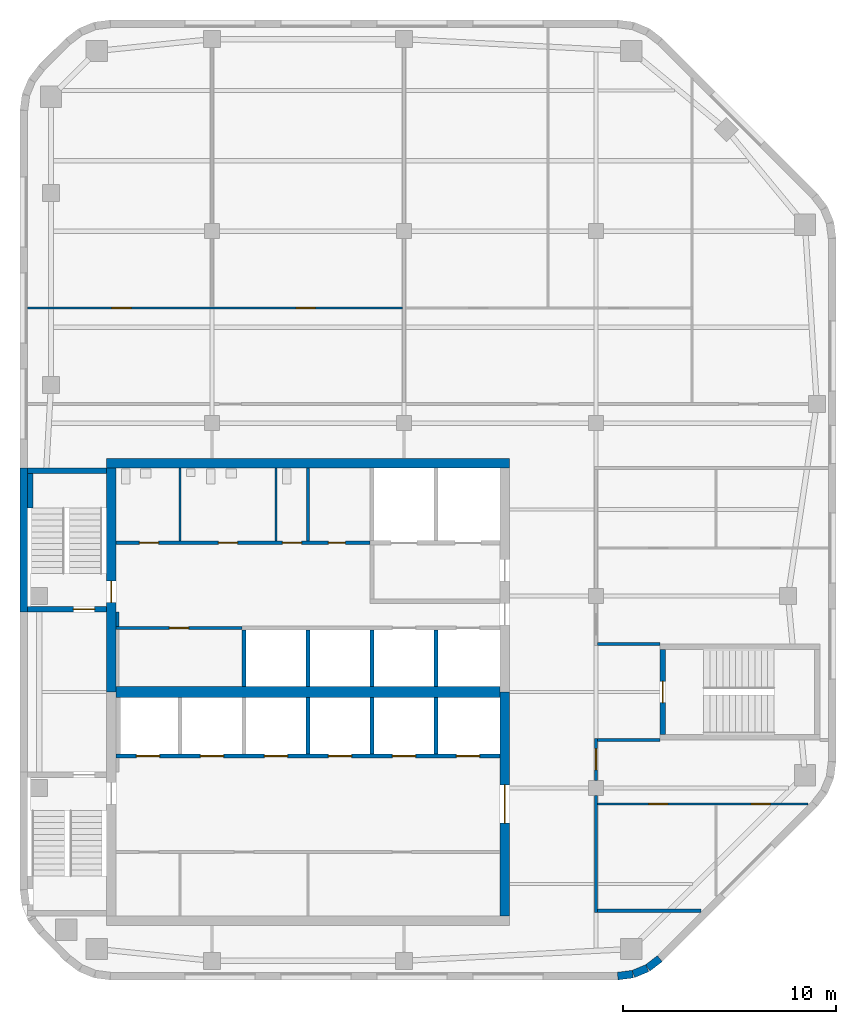
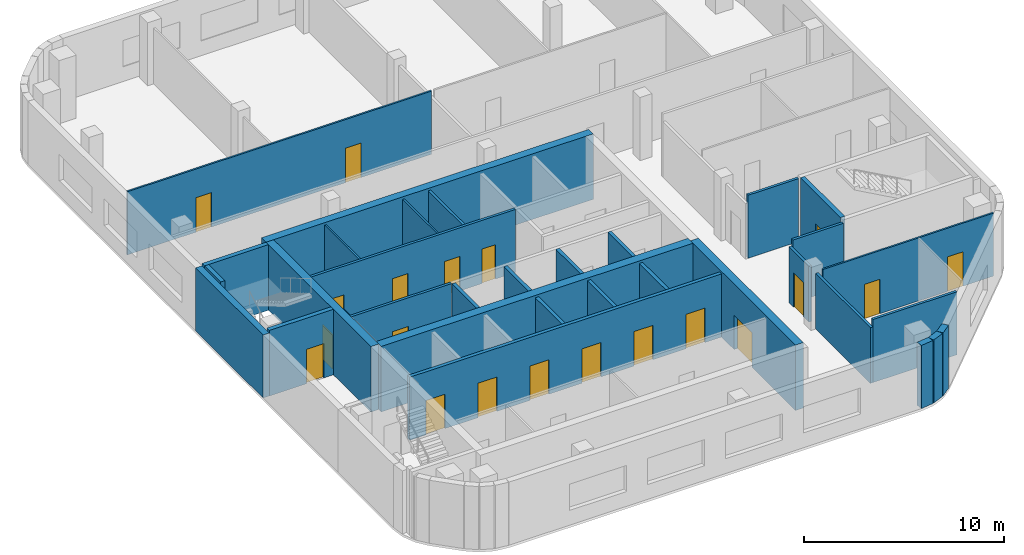
# One storey, part 3 of 7: 33 walls, 20 doors, 20 openings.
"""IFC4 building model written with IfcOpenShell, lengths in metres."""

from ifc_helpers import new_model, si_unit, direction, frame, frame_2d, origin, place, context, subcontext, project, spatial, rectangle, extrude, material, layer, layer_set, type_object, element, fill, save


model = new_model("IFC4")

# Units and contexts
model_context = context("Model", 3, precision=1e-05, world=origin(), true_north=direction((0.0, 1.0)))
body_context = subcontext(model_context, "Body", "Model", "MODEL_VIEW")
ifc_project = project(units=[si_unit("LENGTHUNIT", "METRE"), si_unit("AREAUNIT", "SQUARE_METRE"), si_unit("VOLUMEUNIT", "CUBIC_METRE"), si_unit("PLANEANGLEUNIT", "RADIAN"), si_unit("MASSUNIT", "GRAM", prefix="KILO")], contexts=[model_context])

# Site, building, storey
site_placement = place(None, origin())
site = spatial("IfcSite", under=ifc_project, at=site_placement, CompositionType="ELEMENT")
building_placement = place(site_placement, origin())
building = spatial("IfcBuilding", under=site, at=building_placement, Name="Cinnabar Reach Civic Tower", CompositionType="ELEMENT")
storey_placement = place(building_placement, frame((0.0, 0.0, 267.0)))
storey = spatial("IfcBuildingStorey", under=building, at=storey_placement, Name="L64", CompositionType="ELEMENT", Elevation=267.0)

# Walls
ifc_material_1 = material(Name="Facing brick with insulated backing", Category="masonry")
ifc_layer_1 = layer(ifc_material_1, 0.36)
ifc_layer_set_1 = layer_set([ifc_layer_1], Name="Brick corner wall")
wall_type_1 = type_object("IfcWallType", Name="Brick corner wall", PredefinedType="STANDARD", material=ifc_layer_set_1)
for number, where, z_axis, x_axis, name in (
    (1, (28.0186, 18.183, 0.0), (0.0, 0.0, 1.0), (0.99144092581, 0.13055608231, 0.0), "Brick corner wall"),
    (2, (28.7473, 18.2819, 0.0), (0.0, 0.0, 1.0), (0.923871547278, 0.382702709855, 0.0), "Brick corner wall"),
):
    element("IfcWall", number, at=place(storey_placement, frame(where, z_axis=z_axis, x_axis=x_axis)), inside=storey, type_object=wall_type_1, Name=name, PredefinedType="STANDARD", context=body_context, shape_type="SweptSolid", body=[
        extrude(rectangle(XDim=0.7131, YDim=0.36, at=frame_2d((0.3565, 0.0))), origin(), (0.0, 0.0, 1.0), 3.85),
    ])
wall_1_placement = place(storey_placement, frame((29.4255, 18.566, 0.0), z_axis=(0.0, 0.0, 1.0), x_axis=(0.793321924995, 0.608802368033, 0.0)))
element("IfcWall", 3, at=wall_1_placement, inside=storey, type_object=wall_type_1, Name="Brick corner wall", PredefinedType="STANDARD", context=body_context, shape_type="SweptSolid", body=[
    extrude(rectangle(XDim=0.7132, YDim=0.36, at=frame_2d((0.3566, 0.0))), origin(), (0.0, 0.0, 1.0), 3.85),
])
ifc_layer_2 = layer(ifc_material_1, 0.36)
ifc_layer_set_2 = layer_set([ifc_layer_2], Name="Brick pier and spandrel wall")
wall_type_2 = type_object("IfcWallType", Name="Brick pier and spandrel wall", PredefinedType="STANDARD", material=ifc_layer_set_2)
wall_2_placement = place(storey_placement, frame((0.18, 42.0, 0.0), z_axis=(0.0, 0.0, 1.0), x_axis=(0.0, -1.0, 0.0)))
element("IfcWall", 4, at=wall_2_placement, inside=storey, type_object=wall_type_2, Name="Brick facade wall", PredefinedType="STANDARD", context=body_context, shape_type="SweptSolid", body=[
    extrude(rectangle(XDim=6.75, YDim=0.36, at=frame_2d((3.375, 0.0))), origin(), (0.0, 0.0, 1.0), 3.85),
])
ifc_material_2 = material(Name="Concrete C60", Category="concrete")
ifc_layer_3 = layer(ifc_material_2, 0.45)
ifc_layer_set_3 = layer_set([ifc_layer_3], Name="Core wall 450 EI 180")
wall_type_3 = type_object("IfcWallType", Name="Core wall 450 EI 180", PredefinedType="SOLIDWALL", material=ifc_layer_set_3)
wall_3_placement = place(storey_placement, frame((22.95, 42.225, 0.0), z_axis=(0.0, 0.0, 1.0), x_axis=(-1.0, 0.0, 0.0)))
element("IfcWall", 5, at=wall_3_placement, inside=storey, type_object=wall_type_3, Name="Core wall T1 L64 N", PredefinedType="SOLIDWALL", context=body_context, shape_type="SweptSolid", body=[
    extrude(rectangle(XDim=18.9, YDim=0.45, at=frame_2d((9.45, 0.0))), origin(), (0.0, 0.0, 1.0), 4.0),
])

# Wall, opening, door
wall_4_placement = place(storey_placement, frame((22.725, 21.0, 0.0), z_axis=(0.0, 0.0, 1.0), x_axis=(0.0, 1.0, 0.0)))
wall_4 = element("IfcWall", 6, at=wall_4_placement, inside=storey, type_object=wall_type_3, Name="Core wall T1 L64 E", PredefinedType="SOLIDWALL", context=body_context, shape_type="SweptSolid", body=[
    extrude(rectangle(XDim=10.5, YDim=0.45, at=frame_2d((5.25, 0.0))), origin(), (0.0, 0.0, 1.0), 4.0),
])
opening_1_placement = place(wall_4_placement, frame((4.35, 0.0, 0.0)))
opening_1 = element("IfcOpeningElement", 7, at=opening_1_placement, cuts=wall_4, Name="Opening D5559", PredefinedType="OPENING", context=body_context, shape_type="SweptSolid", body=[
    extrude(rectangle(XDim=1.8, YDim=2.1, at=frame_2d((0.9, 1.05))), frame((0.0, 0.235, 0.0), z_axis=(0.0, -1.0, 0.0), x_axis=(1.0, 0.0, 0.0)), (0.0, 0.0, 1.0), 0.47),
])
ifc_material_3 = material(Name="Timber door leaf in steel frame", Category="steel")
door_type_1 = type_object("IfcDoorType", Name="Double swing door 1800 x 2100 T1", OperationType="DOUBLE_DOOR_DOUBLE_SWING", PredefinedType="DOOR", material=ifc_material_3)
door_1_placement = place(opening_1_placement, origin())
door_1 = element("IfcDoor", 8, at=door_1_placement, inside=storey, type_object=door_type_1, Name="Door D5559", OperationType="DOUBLE_DOOR_DOUBLE_SWING", OverallHeight=2.1, OverallWidth=1.8, PredefinedType="DOOR", context=body_context, shape_type="SweptSolid", body=[
    extrude(rectangle(XDim=1.8, YDim=2.1, at=frame_2d((0.9, 1.05))), frame((0.0, 0.025, 0.0), z_axis=(0.0, -1.0, 0.0), x_axis=(1.0, 0.0, 0.0)), (0.0, 0.0, 1.0), 0.05),
])
fill(opening_1, door_1)

wall_5_placement = place(storey_placement, frame((4.275, 42.0, 0.0), z_axis=(0.0, 0.0, 1.0), x_axis=(0.0, -1.0, 0.0)))
wall_5 = element("IfcWall", 9, at=wall_5_placement, inside=storey, type_object=wall_type_3, Name="Core wall T1 L64 W", PredefinedType="SOLIDWALL", context=body_context, shape_type="SweptSolid", body=[
    extrude(rectangle(XDim=10.5, YDim=0.45, at=frame_2d((5.25, 0.0))), origin(), (0.0, 0.0, 1.0), 4.0),
])
opening_2_placement = place(wall_5_placement, frame((5.3, 0.0, 0.0)))
opening_2 = element("IfcOpeningElement", 10, at=opening_2_placement, cuts=wall_5, Name="Opening D5547", PredefinedType="OPENING", context=body_context, shape_type="SweptSolid", body=[
    extrude(rectangle(XDim=1.0, YDim=2.1, at=frame_2d((0.5, 1.05))), frame((0.0, 0.235, 0.0), z_axis=(0.0, -1.0, 0.0), x_axis=(1.0, 0.0, 0.0)), (0.0, 0.0, 1.0), 0.47),
])
door_type_2 = type_object("IfcDoorType", Name="Stair door 1000 x 2100 T1", OperationType="SINGLE_SWING_LEFT", PredefinedType="DOOR", material=ifc_material_3)
door_2_placement = place(opening_2_placement, frame((1.0, 0.0, 0.0), z_axis=(0.0, 0.0, 1.0), x_axis=(-1.0, 0.0, 0.0)))
door_2 = element("IfcDoor", 11, at=door_2_placement, inside=storey, type_object=door_type_2, Name="Door D5547", OperationType="SINGLE_SWING_LEFT", OverallHeight=2.1, OverallWidth=1.0, PredefinedType="DOOR", context=body_context, shape_type="SweptSolid", body=[
    extrude(rectangle(XDim=1.0, YDim=2.1, at=frame_2d((0.5, 1.05))), frame((0.0, 0.025, 0.0), z_axis=(0.0, -1.0, 0.0), x_axis=(1.0, 0.0, 0.0)), (0.0, 0.0, 1.0), 0.05),
])
fill(opening_2, door_2)

# Wall
ifc_layer_4 = layer(ifc_material_2, 0.5)
ifc_layer_set_4 = layer_set([ifc_layer_4], Name="Core wall 500 EI 180")
wall_type_4 = type_object("IfcWallType", Name="Core wall 500 EI 180", PredefinedType="SOLIDWALL", material=ifc_layer_set_4)
wall_6_placement = place(storey_placement, frame((4.5, 31.5, 0.0), z_axis=(0.0, 0.0, 1.0), x_axis=(1.0, 0.0, 0.0)))
element("IfcWall", 12, at=wall_6_placement, inside=storey, type_object=wall_type_4, Name="Core spine wall T1 L64", PredefinedType="SOLIDWALL", context=body_context, shape_type="SweptSolid", body=[
    extrude(rectangle(XDim=18.0, YDim=0.5, at=frame_2d((9.0, 0.0))), origin(), (0.0, 0.0, 1.0), 4.0),
])

# Wall, openings, doors
ifc_material_4 = material(Name="Gypsum board on steel studs, double layer", Category="steel")
ifc_layer_5 = layer(ifc_material_4, 0.15)
ifc_layer_set_5 = layer_set([ifc_layer_5], Name="Corridor wall 150 T1")
wall_type_5 = type_object("IfcWallType", Name="Corridor wall 150 T1", PredefinedType="PARTITIONING", material=ifc_layer_set_5)
wall_7_placement = place(storey_placement, frame((4.5, 38.5, 0.0), z_axis=(0.0, 0.0, 1.0), x_axis=(1.0, 0.0, 0.0)))
wall_7 = element("IfcWall", 13, at=wall_7_placement, inside=storey, type_object=wall_type_5, Name="Corridor wall 20", PredefinedType="PARTITIONING", context=body_context, shape_type="SweptSolid", body=[
    extrude(rectangle(XDim=11.9, YDim=0.15, at=frame_2d((5.95, 0.0))), origin(), (0.0, 0.0, 1.0), 3.85),
])
opening_3_placement = place(wall_7_placement, frame((1.1, 0.0, 0.0)))
opening_3 = element("IfcOpeningElement", 14, at=opening_3_placement, cuts=wall_7, Name="Opening D5567", PredefinedType="OPENING", context=body_context, shape_type="SweptSolid", body=[
    extrude(rectangle(XDim=0.9, YDim=2.1, at=frame_2d((0.45, 1.05))), frame((0.0, 0.085, 0.0), z_axis=(0.0, -1.0, 0.0), x_axis=(1.0, 0.0, 0.0)), (0.0, 0.0, 1.0), 0.17),
])
opening_4_placement = place(wall_7_placement, frame((4.8, 0.0, 0.0)))
opening_4 = element("IfcOpeningElement", 15, at=opening_4_placement, cuts=wall_7, Name="Opening D5568", PredefinedType="OPENING", context=body_context, shape_type="SweptSolid", body=[
    extrude(rectangle(XDim=0.9, YDim=2.1, at=frame_2d((0.45, 1.05))), frame((0.0, 0.085, 0.0), z_axis=(0.0, -1.0, 0.0), x_axis=(1.0, 0.0, 0.0)), (0.0, 0.0, 1.0), 0.17),
])
opening_5_placement = place(wall_7_placement, frame((7.8, 0.0, 0.0)))
opening_5 = element("IfcOpeningElement", 16, at=opening_5_placement, cuts=wall_7, Name="Opening D5569", PredefinedType="OPENING", context=body_context, shape_type="SweptSolid", body=[
    extrude(rectangle(XDim=0.9, YDim=2.1, at=frame_2d((0.45, 1.05))), frame((0.0, 0.085, 0.0), z_axis=(0.0, -1.0, 0.0), x_axis=(1.0, 0.0, 0.0)), (0.0, 0.0, 1.0), 0.17),
])
opening_6_placement = place(wall_7_placement, frame((9.95, 0.0, 0.0)))
opening_6 = element("IfcOpeningElement", 17, at=opening_6_placement, cuts=wall_7, Name="Opening D5570", PredefinedType="OPENING", context=body_context, shape_type="SweptSolid", body=[
    extrude(rectangle(XDim=0.8, YDim=2.1, at=frame_2d((0.4, 1.05))), frame((0.0, 0.085, 0.0), z_axis=(0.0, -1.0, 0.0), x_axis=(1.0, 0.0, 0.0)), (0.0, 0.0, 1.0), 0.17),
])
door_type_3 = type_object("IfcDoorType", Name="Riser access door 800 x 2100 T1", OperationType="SINGLE_SWING_LEFT", PredefinedType="DOOR", material=ifc_material_3)
door_3_placement = place(opening_6_placement, origin())
door_3 = element("IfcDoor", 18, at=door_3_placement, inside=storey, type_object=door_type_3, Name="Door D5570", OperationType="SINGLE_SWING_LEFT", OverallHeight=2.1, OverallWidth=0.8, PredefinedType="DOOR", context=body_context, shape_type="SweptSolid", body=[
    extrude(rectangle(XDim=0.8, YDim=2.1, at=frame_2d((0.4, 1.05))), frame((0.0, 0.025, 0.0), z_axis=(0.0, -1.0, 0.0), x_axis=(1.0, 0.0, 0.0)), (0.0, 0.0, 1.0), 0.05),
])
fill(opening_6, door_3)
door_type_4 = type_object("IfcDoorType", Name="Single swing door 900 x 2100 corridor T1", OperationType="SINGLE_SWING_LEFT", PredefinedType="DOOR", material=ifc_material_3)
door_4_placement = place(opening_3_placement, origin())
door_4 = element("IfcDoor", 19, at=door_4_placement, inside=storey, type_object=door_type_4, Name="Door D5567", OperationType="SINGLE_SWING_LEFT", OverallHeight=2.1, OverallWidth=0.9, PredefinedType="DOOR", context=body_context, shape_type="SweptSolid", body=[
    extrude(rectangle(XDim=0.9, YDim=2.1, at=frame_2d((0.45, 1.05))), frame((0.0, 0.025, 0.0), z_axis=(0.0, -1.0, 0.0), x_axis=(1.0, 0.0, 0.0)), (0.0, 0.0, 1.0), 0.05),
])
fill(opening_3, door_4)
door_5_placement = place(opening_4_placement, origin())
door_5 = element("IfcDoor", 20, at=door_5_placement, inside=storey, type_object=door_type_4, Name="Door D5568", OperationType="SINGLE_SWING_RIGHT", OverallHeight=2.1, OverallWidth=0.9, PredefinedType="DOOR", context=body_context, shape_type="SweptSolid", body=[
    extrude(rectangle(XDim=0.9, YDim=2.1, at=frame_2d((0.45, 1.05))), frame((0.0, 0.025, 0.0), z_axis=(0.0, -1.0, 0.0), x_axis=(1.0, 0.0, 0.0)), (0.0, 0.0, 1.0), 0.05),
])
fill(opening_4, door_5)
door_6_placement = place(opening_5_placement, origin())
door_6 = element("IfcDoor", 21, at=door_6_placement, inside=storey, type_object=door_type_4, Name="Door D5569", OperationType="SINGLE_SWING_RIGHT", OverallHeight=2.1, OverallWidth=0.9, PredefinedType="DOOR", context=body_context, shape_type="SweptSolid", body=[
    extrude(rectangle(XDim=0.9, YDim=2.1, at=frame_2d((0.45, 1.05))), frame((0.0, 0.025, 0.0), z_axis=(0.0, -1.0, 0.0), x_axis=(1.0, 0.0, 0.0)), (0.0, 0.0, 1.0), 0.05),
])
fill(opening_5, door_6)

# Wall
wall_8_placement = place(storey_placement, frame((27.0, 21.175, 0.0), z_axis=(0.0, 0.0, 1.0), x_axis=(0.0, 1.0, 0.0)))
element("IfcWall", 22, at=wall_8_placement, inside=storey, type_object=wall_type_5, Name="Corridor wall 24", PredefinedType="PARTITIONING", context=body_context, shape_type="SweptSolid", body=[
    extrude(rectangle(XDim=5.475, YDim=0.15, at=frame_2d((2.7375, 0.0))), origin(), (0.0, 0.0, 1.0), 3.4),
])

# Wall, opening, door
wall_9_placement = place(storey_placement, frame((27.0, 27.35, 0.0), z_axis=(0.0, 0.0, 1.0), x_axis=(0.0, 1.0, 0.0)))
wall_9 = element("IfcWall", 23, at=wall_9_placement, inside=storey, type_object=wall_type_5, Name="Corridor wall 25", PredefinedType="PARTITIONING", context=body_context, shape_type="SweptSolid", body=[
    extrude(rectangle(XDim=1.975, YDim=0.15, at=frame_2d((0.9875, 0.0))), origin(), (0.0, 0.0, 1.0), 3.4),
])
opening_7_placement = place(wall_9_placement, frame((0.5, 0.0, 0.0)))
opening_7 = element("IfcOpeningElement", 24, at=opening_7_placement, cuts=wall_9, Name="Opening D5574", PredefinedType="OPENING", context=body_context, shape_type="SweptSolid", body=[
    extrude(rectangle(XDim=1.0, YDim=2.1, at=frame_2d((0.5, 1.05))), frame((0.0, 0.085, 0.0), z_axis=(0.0, -1.0, 0.0), x_axis=(1.0, 0.0, 0.0)), (0.0, 0.0, 1.0), 0.17),
])
door_type_5 = type_object("IfcDoorType", Name="Tenancy entrance door 1000 x 2100 T1", OperationType="SINGLE_SWING_LEFT", PredefinedType="DOOR", material=ifc_material_3)
door_7_placement = place(opening_7_placement, frame((1.0, 0.0, 0.0), z_axis=(0.0, 0.0, 1.0), x_axis=(-1.0, 0.0, 0.0)))
door_7 = element("IfcDoor", 25, at=door_7_placement, inside=storey, type_object=door_type_5, Name="Door D5574", OperationType="SINGLE_SWING_LEFT", OverallHeight=2.1, OverallWidth=1.0, PredefinedType="DOOR", context=body_context, shape_type="SweptSolid", body=[
    extrude(rectangle(XDim=1.0, YDim=2.1, at=frame_2d((0.5, 1.05))), frame((0.0, 0.025, 0.0), z_axis=(0.0, -1.0, 0.0), x_axis=(1.0, 0.0, 0.0)), (0.0, 0.0, 1.0), 0.05),
])
fill(opening_7, door_7)

wall_10_placement = place(storey_placement, frame((4.5, 34.5, 0.0), z_axis=(0.0, 0.0, 1.0), x_axis=(1.0, 0.0, 0.0)))
wall_10 = element("IfcWall", 26, at=wall_10_placement, inside=storey, type_object=wall_type_5, Name="Corridor wall 26", PredefinedType="PARTITIONING", context=body_context, shape_type="SweptSolid", body=[
    extrude(rectangle(XDim=5.9, YDim=0.15, at=frame_2d((2.95, 0.0))), origin(), (0.0, 0.0, 1.0), 3.85),
])
opening_8_placement = place(wall_10_placement, frame((2.5, 0.0, 0.0)))
opening_8 = element("IfcOpeningElement", 27, at=opening_8_placement, cuts=wall_10, Name="Opening D5566", PredefinedType="OPENING", context=body_context, shape_type="SweptSolid", body=[
    extrude(rectangle(XDim=0.9, YDim=2.1, at=frame_2d((0.45, 1.05))), frame((0.0, 0.085, 0.0), z_axis=(0.0, -1.0, 0.0), x_axis=(1.0, 0.0, 0.0)), (0.0, 0.0, 1.0), 0.17),
])
door_8_placement = place(opening_8_placement, frame((0.9, 0.0, 0.0), z_axis=(0.0, 0.0, 1.0), x_axis=(-1.0, 0.0, 0.0)))
door_8 = element("IfcDoor", 28, at=door_8_placement, inside=storey, type_object=door_type_4, Name="Door D5566", OperationType="SINGLE_SWING_LEFT", OverallHeight=2.1, OverallWidth=0.9, PredefinedType="DOOR", context=body_context, shape_type="SweptSolid", body=[
    extrude(rectangle(XDim=0.9, YDim=2.1, at=frame_2d((0.45, 1.05))), frame((0.0, 0.025, 0.0), z_axis=(0.0, -1.0, 0.0), x_axis=(1.0, 0.0, 0.0)), (0.0, 0.0, 1.0), 0.05),
])
fill(opening_8, door_8)

# Walls
wall_11_placement = place(storey_placement, frame((27.075, 21.25, 0.0), z_axis=(0.0, 0.0, 1.0), x_axis=(1.0, 0.0, 0.0)))
element("IfcWall", 29, at=wall_11_placement, inside=storey, type_object=wall_type_5, Name="Corridor wall 27", PredefinedType="PARTITIONING", context=body_context, shape_type="SweptSolid", body=[
    extrude(rectangle(XDim=4.841, YDim=0.15, at=frame_2d((2.4205, 0.0))), origin(), (0.0, 0.0, 1.0), 3.85),
])
wall_12_placement = place(storey_placement, frame((4.575, 34.575, 0.0), z_axis=(0.0, 0.0, 1.0), x_axis=(0.0, 1.0, 0.0)))
element("IfcWall", 30, at=wall_12_placement, inside=storey, type_object=wall_type_5, Name="Corridor wall 28", PredefinedType="PARTITIONING", context=body_context, shape_type="SweptSolid", body=[
    extrude(rectangle(XDim=0.675, YDim=0.15, at=frame_2d((0.3375, 0.0))), origin(), (0.0, 0.0, 1.0), 3.85),
])
for number, where, z_axis, x_axis, name in (
    (31, (27.075, 29.25, 0.0), (0.0, 0.0, 1.0), (1.0, 0.0, 0.0), "Corridor wall 30"),
    (32, (27.075, 33.75, 0.0), (0.0, 0.0, 1.0), (1.0, 0.0, 0.0), "Corridor wall 31"),
):
    element("IfcWall", number, at=place(storey_placement, frame(where, z_axis=z_axis, x_axis=x_axis)), inside=storey, type_object=wall_type_5, Name=name, PredefinedType="PARTITIONING", context=body_context, shape_type="SweptSolid", body=[
        extrude(rectangle(XDim=2.925, YDim=0.15, at=frame_2d((1.4625, 0.0))), origin(), (0.0, 0.0, 1.0), 3.85),
    ])

# Wall, openings, doors
ifc_material_5 = material(Name="Blockwork", Category="masonry")
ifc_layer_6 = layer(ifc_material_5, 0.2)
ifc_layer_set_6 = layer_set([ifc_layer_6], Name="Lift shaft wall 200 T1")
wall_type_6 = type_object("IfcWallType", Name="Lift shaft wall 200 T1", PredefinedType="PARTITIONING", material=ifc_layer_set_6)
wall_13_placement = place(storey_placement, frame((4.5, 28.5, 0.0), z_axis=(0.0, 0.0, 1.0), x_axis=(1.0, 0.0, 0.0)))
wall_13 = element("IfcWall", 33, at=wall_13_placement, inside=storey, type_object=wall_type_6, Name="Lift shaft wall 4", PredefinedType="PARTITIONING", context=body_context, shape_type="SweptSolid", body=[
    extrude(rectangle(XDim=18.0, YDim=0.2, at=frame_2d((9.0, 0.0))), origin(), (0.0, 0.0, 1.0), 3.85),
])
opening_9_placement = place(wall_13_placement, frame((0.95, 0.0, 0.0)))
opening_9 = element("IfcOpeningElement", 34, at=opening_9_placement, cuts=wall_13, Name="Opening D5549", PredefinedType="OPENING", context=body_context, shape_type="SweptSolid", body=[
    extrude(rectangle(XDim=1.1, YDim=2.1, at=frame_2d((0.55, 1.05))), frame((0.0, 0.11, 0.0), z_axis=(0.0, -1.0, 0.0), x_axis=(1.0, 0.0, 0.0)), (0.0, 0.0, 1.0), 0.22),
])
opening_10_placement = place(wall_13_placement, frame((3.95, 0.0, 0.0)))
opening_10 = element("IfcOpeningElement", 35, at=opening_10_placement, cuts=wall_13, Name="Opening D5550", PredefinedType="OPENING", context=body_context, shape_type="SweptSolid", body=[
    extrude(rectangle(XDim=1.1, YDim=2.1, at=frame_2d((0.55, 1.05))), frame((0.0, 0.11, 0.0), z_axis=(0.0, -1.0, 0.0), x_axis=(1.0, 0.0, 0.0)), (0.0, 0.0, 1.0), 0.22),
])
opening_11_placement = place(wall_13_placement, frame((6.95, 0.0, 0.0)))
opening_11 = element("IfcOpeningElement", 36, at=opening_11_placement, cuts=wall_13, Name="Opening D5551", PredefinedType="OPENING", context=body_context, shape_type="SweptSolid", body=[
    extrude(rectangle(XDim=1.1, YDim=2.1, at=frame_2d((0.55, 1.05))), frame((0.0, 0.11, 0.0), z_axis=(0.0, -1.0, 0.0), x_axis=(1.0, 0.0, 0.0)), (0.0, 0.0, 1.0), 0.22),
])
opening_12_placement = place(wall_13_placement, frame((9.95, 0.0, 0.0)))
opening_12 = element("IfcOpeningElement", 37, at=opening_12_placement, cuts=wall_13, Name="Opening D5552", PredefinedType="OPENING", context=body_context, shape_type="SweptSolid", body=[
    extrude(rectangle(XDim=1.1, YDim=2.1, at=frame_2d((0.55, 1.05))), frame((0.0, 0.11, 0.0), z_axis=(0.0, -1.0, 0.0), x_axis=(1.0, 0.0, 0.0)), (0.0, 0.0, 1.0), 0.22),
])
opening_13_placement = place(wall_13_placement, frame((12.95, 0.0, 0.0)))
opening_13 = element("IfcOpeningElement", 38, at=opening_13_placement, cuts=wall_13, Name="Opening D5553", PredefinedType="OPENING", context=body_context, shape_type="SweptSolid", body=[
    extrude(rectangle(XDim=1.1, YDim=2.1, at=frame_2d((0.55, 1.05))), frame((0.0, 0.11, 0.0), z_axis=(0.0, -1.0, 0.0), x_axis=(1.0, 0.0, 0.0)), (0.0, 0.0, 1.0), 0.22),
])
opening_14_placement = place(wall_13_placement, frame((15.95, 0.0, 0.0)))
opening_14 = element("IfcOpeningElement", 39, at=opening_14_placement, cuts=wall_13, Name="Opening D5554", PredefinedType="OPENING", context=body_context, shape_type="SweptSolid", body=[
    extrude(rectangle(XDim=1.1, YDim=2.1, at=frame_2d((0.55, 1.05))), frame((0.0, 0.11, 0.0), z_axis=(0.0, -1.0, 0.0), x_axis=(1.0, 0.0, 0.0)), (0.0, 0.0, 1.0), 0.22),
])
ifc_material_6 = material(Name="Stainless steel sliding door", Category="steel")
door_type_6 = type_object("IfcDoorType", Name="Lift landing door 1100 x 2100 T1", OperationType="SLIDING_TO_LEFT", PredefinedType="DOOR", material=ifc_material_6)
door_9_placement = place(opening_9_placement, origin())
door_9 = element("IfcDoor", 40, at=door_9_placement, inside=storey, type_object=door_type_6, Name="Lift landing door HR1 L64", OperationType="SLIDING_TO_LEFT", OverallHeight=2.1, OverallWidth=1.1, PredefinedType="DOOR", context=body_context, shape_type="SweptSolid", body=[
    extrude(rectangle(XDim=1.1, YDim=2.1, at=frame_2d((0.55, 1.05))), frame((0.0, 0.025, 0.0), z_axis=(0.0, -1.0, 0.0), x_axis=(1.0, 0.0, 0.0)), (0.0, 0.0, 1.0), 0.05),
])
fill(opening_9, door_9)
door_10_placement = place(opening_10_placement, origin())
door_10 = element("IfcDoor", 41, at=door_10_placement, inside=storey, type_object=door_type_6, Name="Lift landing door HR2 L64", OperationType="SLIDING_TO_LEFT", OverallHeight=2.1, OverallWidth=1.1, PredefinedType="DOOR", context=body_context, shape_type="SweptSolid", body=[
    extrude(rectangle(XDim=1.1, YDim=2.1, at=frame_2d((0.55, 1.05))), frame((0.0, 0.025, 0.0), z_axis=(0.0, -1.0, 0.0), x_axis=(1.0, 0.0, 0.0)), (0.0, 0.0, 1.0), 0.05),
])
fill(opening_10, door_10)
door_11_placement = place(opening_11_placement, origin())
door_11 = element("IfcDoor", 42, at=door_11_placement, inside=storey, type_object=door_type_6, Name="Lift landing door HR3 L64", OperationType="SLIDING_TO_LEFT", OverallHeight=2.1, OverallWidth=1.1, PredefinedType="DOOR", context=body_context, shape_type="SweptSolid", body=[
    extrude(rectangle(XDim=1.1, YDim=2.1, at=frame_2d((0.55, 1.05))), frame((0.0, 0.025, 0.0), z_axis=(0.0, -1.0, 0.0), x_axis=(1.0, 0.0, 0.0)), (0.0, 0.0, 1.0), 0.05),
])
fill(opening_11, door_11)
door_12_placement = place(opening_12_placement, origin())
door_12 = element("IfcDoor", 43, at=door_12_placement, inside=storey, type_object=door_type_6, Name="Lift landing door HR4 L64", OperationType="SLIDING_TO_LEFT", OverallHeight=2.1, OverallWidth=1.1, PredefinedType="DOOR", context=body_context, shape_type="SweptSolid", body=[
    extrude(rectangle(XDim=1.1, YDim=2.1, at=frame_2d((0.55, 1.05))), frame((0.0, 0.025, 0.0), z_axis=(0.0, -1.0, 0.0), x_axis=(1.0, 0.0, 0.0)), (0.0, 0.0, 1.0), 0.05),
])
fill(opening_12, door_12)
door_13_placement = place(opening_13_placement, origin())
door_13 = element("IfcDoor", 44, at=door_13_placement, inside=storey, type_object=door_type_6, Name="Lift landing door HR5 L64", OperationType="SLIDING_TO_LEFT", OverallHeight=2.1, OverallWidth=1.1, PredefinedType="DOOR", context=body_context, shape_type="SweptSolid", body=[
    extrude(rectangle(XDim=1.1, YDim=2.1, at=frame_2d((0.55, 1.05))), frame((0.0, 0.025, 0.0), z_axis=(0.0, -1.0, 0.0), x_axis=(1.0, 0.0, 0.0)), (0.0, 0.0, 1.0), 0.05),
])
fill(opening_13, door_13)
door_14_placement = place(opening_14_placement, origin())
door_14 = element("IfcDoor", 45, at=door_14_placement, inside=storey, type_object=door_type_6, Name="Lift landing door HR6 L64", OperationType="SLIDING_TO_LEFT", OverallHeight=2.1, OverallWidth=1.1, PredefinedType="DOOR", context=body_context, shape_type="SweptSolid", body=[
    extrude(rectangle(XDim=1.1, YDim=2.1, at=frame_2d((0.55, 1.05))), frame((0.0, 0.025, 0.0), z_axis=(0.0, -1.0, 0.0), x_axis=(1.0, 0.0, 0.0)), (0.0, 0.0, 1.0), 0.05),
])
fill(opening_14, door_14)

# Walls
for number, where, z_axis, x_axis, name in (
    (46, (10.5, 31.75, 0.0), (0.0, 0.0, 1.0), (0.0, 1.0, 0.0), "Lift shaft wall 7"),
    (47, (13.5, 28.6, 0.0), (0.0, 0.0, 1.0), (0.0, 1.0, 0.0), "Lift shaft wall 8"),
    (48, (13.5, 31.75, 0.0), (0.0, 0.0, 1.0), (0.0, 1.0, 0.0), "Lift shaft wall 9"),
    (49, (16.5, 28.6, 0.0), (0.0, 0.0, 1.0), (0.0, 1.0, 0.0), "Lift shaft wall 10"),
    (50, (16.5, 31.75, 0.0), (0.0, 0.0, 1.0), (0.0, 1.0, 0.0), "Lift shaft wall 11"),
    (51, (19.5, 28.6, 0.0), (0.0, 0.0, 1.0), (0.0, 1.0, 0.0), "Lift shaft wall 12"),
    (52, (19.5, 31.75, 0.0), (0.0, 0.0, 1.0), (0.0, 1.0, 0.0), "Lift shaft wall 13"),
):
    element("IfcWall", number, at=place(storey_placement, frame(where, z_axis=z_axis, x_axis=x_axis)), inside=storey, type_object=wall_type_6, Name=name, PredefinedType="PARTITIONING", context=body_context, shape_type="SweptSolid", body=[
        extrude(rectangle(XDim=2.65, YDim=0.2, at=frame_2d((1.325, 0.0))), origin(), (0.0, 0.0, 1.0), 3.85),
    ])

# Wall, openings, doors
ifc_material_7 = material(Name="Gypsum board on steel studs", Category="steel")
ifc_layer_7 = layer(ifc_material_7, 0.1)
ifc_layer_set_7 = layer_set([ifc_layer_7], Name="Partition wall 100 T1")
wall_type_7 = type_object("IfcWallType", Name="Partition wall 100 T1", PredefinedType="PARTITIONING", material=ifc_layer_set_7)
wall_14_placement = place(storey_placement, frame((0.36, 49.5, 0.0), z_axis=(0.0, 0.0, 1.0), x_axis=(1.0, 0.0, 0.0)))
wall_14 = element("IfcWall", 53, at=wall_14_placement, inside=storey, type_object=wall_type_7, Name="Partition wall 38", PredefinedType="PARTITIONING", context=body_context, shape_type="SweptSolid", body=[
    extrude(rectangle(XDim=17.565, YDim=0.1, at=frame_2d((8.7825, 0.0))), origin(), (0.0, 0.0, 1.0), 3.85),
])
opening_15_placement = place(wall_14_placement, frame((3.95, 0.0, 0.0)))
opening_15 = element("IfcOpeningElement", 54, at=opening_15_placement, cuts=wall_14, Name="Opening D5578", PredefinedType="OPENING", context=body_context, shape_type="SweptSolid", body=[
    extrude(rectangle(XDim=0.9, YDim=2.1, at=frame_2d((0.45, 1.05))), frame((0.0, 0.06, 0.0), z_axis=(0.0, -1.0, 0.0), x_axis=(1.0, 0.0, 0.0)), (0.0, 0.0, 1.0), 0.12),
])
opening_16_placement = place(wall_14_placement, frame((12.59, 0.0, 0.0)))
opening_16 = element("IfcOpeningElement", 55, at=opening_16_placement, cuts=wall_14, Name="Opening D5579", PredefinedType="OPENING", context=body_context, shape_type="SweptSolid", body=[
    extrude(rectangle(XDim=0.9, YDim=2.1, at=frame_2d((0.45, 1.05))), frame((0.0, 0.06, 0.0), z_axis=(0.0, -1.0, 0.0), x_axis=(1.0, 0.0, 0.0)), (0.0, 0.0, 1.0), 0.12),
])
door_type_7 = type_object("IfcDoorType", Name="Single swing door 900 x 2100 T1", OperationType="SINGLE_SWING_LEFT", PredefinedType="DOOR", material=ifc_material_3)
door_15_placement = place(opening_15_placement, frame((0.9, 0.0, 0.0), z_axis=(0.0, 0.0, 1.0), x_axis=(-1.0, 0.0, 0.0)))
door_15 = element("IfcDoor", 56, at=door_15_placement, inside=storey, type_object=door_type_7, Name="Door D5578", OperationType="SINGLE_SWING_LEFT", OverallHeight=2.1, OverallWidth=0.9, PredefinedType="DOOR", context=body_context, shape_type="SweptSolid", body=[
    extrude(rectangle(XDim=0.9, YDim=2.1, at=frame_2d((0.45, 1.05))), frame((0.0, 0.025, 0.0), z_axis=(0.0, -1.0, 0.0), x_axis=(1.0, 0.0, 0.0)), (0.0, 0.0, 1.0), 0.05),
])
fill(opening_15, door_15)
door_16_placement = place(opening_16_placement, frame((0.9, 0.0, 0.0), z_axis=(0.0, 0.0, 1.0), x_axis=(-1.0, 0.0, 0.0)))
door_16 = element("IfcDoor", 57, at=door_16_placement, inside=storey, type_object=door_type_7, Name="Door D5579", OperationType="SINGLE_SWING_RIGHT", OverallHeight=2.1, OverallWidth=0.9, PredefinedType="DOOR", context=body_context, shape_type="SweptSolid", body=[
    extrude(rectangle(XDim=0.9, YDim=2.1, at=frame_2d((0.45, 1.05))), frame((0.0, 0.025, 0.0), z_axis=(0.0, -1.0, 0.0), x_axis=(1.0, 0.0, 0.0)), (0.0, 0.0, 1.0), 0.05),
])
fill(opening_16, door_16)

wall_15_placement = place(storey_placement, frame((27.075, 26.25, 0.0), z_axis=(0.0, 0.0, 1.0), x_axis=(1.0, 0.0, 0.0)))
wall_15 = element("IfcWall", 58, at=wall_15_placement, inside=storey, type_object=wall_type_7, Name="Partition wall 45", PredefinedType="PARTITIONING", context=body_context, shape_type="SweptSolid", body=[
    extrude(rectangle(XDim=9.8659, YDim=0.1, at=frame_2d((4.9329, 0.0))), origin(), (0.0, 0.0, 1.0), 3.85),
])
opening_17_placement = place(wall_15_placement, frame((2.4, 0.0, 0.0)))
opening_17 = element("IfcOpeningElement", 59, at=opening_17_placement, cuts=wall_15, Name="Opening D5575", PredefinedType="OPENING", context=body_context, shape_type="SweptSolid", body=[
    extrude(rectangle(XDim=0.9, YDim=2.1, at=frame_2d((0.45, 1.05))), frame((0.0, 0.06, 0.0), z_axis=(0.0, -1.0, 0.0), x_axis=(1.0, 0.0, 0.0)), (0.0, 0.0, 1.0), 0.12),
])
opening_18_placement = place(wall_15_placement, frame((7.2, 0.0, 0.0)))
opening_18 = element("IfcOpeningElement", 60, at=opening_18_placement, cuts=wall_15, Name="Opening D5576", PredefinedType="OPENING", context=body_context, shape_type="SweptSolid", body=[
    extrude(rectangle(XDim=0.9, YDim=2.1, at=frame_2d((0.45, 1.05))), frame((0.0, 0.06, 0.0), z_axis=(0.0, -1.0, 0.0), x_axis=(1.0, 0.0, 0.0)), (0.0, 0.0, 1.0), 0.12),
])
door_17_placement = place(opening_17_placement, frame((0.9, 0.0, 0.0), z_axis=(0.0, 0.0, 1.0), x_axis=(-1.0, 0.0, 0.0)))
door_17 = element("IfcDoor", 61, at=door_17_placement, inside=storey, type_object=door_type_7, Name="Door D5575", OperationType="SINGLE_SWING_RIGHT", OverallHeight=2.1, OverallWidth=0.9, PredefinedType="DOOR", context=body_context, shape_type="SweptSolid", body=[
    extrude(rectangle(XDim=0.9, YDim=2.1, at=frame_2d((0.45, 1.05))), frame((0.0, 0.025, 0.0), z_axis=(0.0, -1.0, 0.0), x_axis=(1.0, 0.0, 0.0)), (0.0, 0.0, 1.0), 0.05),
])
fill(opening_17, door_17)
door_18_placement = place(opening_18_placement, frame((0.9, 0.0, 0.0), z_axis=(0.0, 0.0, 1.0), x_axis=(-1.0, 0.0, 0.0)))
door_18 = element("IfcDoor", 62, at=door_18_placement, inside=storey, type_object=door_type_7, Name="Door D5576", OperationType="SINGLE_SWING_LEFT", OverallHeight=2.1, OverallWidth=0.9, PredefinedType="DOOR", context=body_context, shape_type="SweptSolid", body=[
    extrude(rectangle(XDim=0.9, YDim=2.1, at=frame_2d((0.45, 1.05))), frame((0.0, 0.025, 0.0), z_axis=(0.0, -1.0, 0.0), x_axis=(1.0, 0.0, 0.0)), (0.0, 0.0, 1.0), 0.05),
])
fill(opening_18, door_18)

# Walls
for number, where, z_axis, x_axis, name in (
    (63, (7.5, 38.575, 0.0), (0.0, 0.0, 1.0), (0.0, 1.0, 0.0), "Partition wall 48"),
    (64, (12.0, 38.575, 0.0), (0.0, 0.0, 1.0), (0.0, 1.0, 0.0), "Partition wall 49"),
):
    element("IfcWall", number, at=place(storey_placement, frame(where, z_axis=z_axis, x_axis=x_axis)), inside=storey, type_object=wall_type_7, Name=name, PredefinedType="PARTITIONING", context=body_context, shape_type="SweptSolid", body=[
        extrude(rectangle(XDim=3.425, YDim=0.1, at=frame_2d((1.7125, 0.0))), origin(), (0.0, 0.0, 1.0), 3.85),
    ])
ifc_layer_8 = layer(ifc_material_5, 0.15)
ifc_layer_set_8 = layer_set([ifc_layer_8], Name="Riser wall 150 T1")
wall_type_8 = type_object("IfcWallType", Name="Riser wall 150 T1", PredefinedType="PARTITIONING", material=ifc_layer_set_8)
wall_16_placement = place(storey_placement, frame((13.5, 38.575, 0.0), z_axis=(0.0, 0.0, 1.0), x_axis=(0.0, 1.0, 0.0)))
element("IfcWall", 65, at=wall_16_placement, inside=storey, type_object=wall_type_8, Name="Riser wall 33", PredefinedType="PARTITIONING", context=body_context, shape_type="SweptSolid", body=[
    extrude(rectangle(XDim=3.425, YDim=0.15, at=frame_2d((1.7125, 0.0))), origin(), (0.0, 0.0, 1.0), 3.85),
])

# Wall, opening, door
ifc_layer_9 = layer(ifc_material_2, 0.25)
ifc_layer_set_9 = layer_set([ifc_layer_9], Name="Stair shaft wall 250 EI 120")
wall_type_9 = type_object("IfcWallType", Name="Stair shaft wall 250 EI 120", PredefinedType="SOLIDWALL", material=ifc_layer_set_9)
wall_17_placement = place(storey_placement, frame((0.36, 35.375, 0.0), z_axis=(0.0, 0.0, 1.0), x_axis=(1.0, 0.0, 0.0)))
wall_17 = element("IfcWall", 66, at=wall_17_placement, inside=storey, type_object=wall_type_9, Name="Stair shaft wall T1-S2 L64", PredefinedType="SOLIDWALL", context=body_context, shape_type="SweptSolid", body=[
    extrude(rectangle(XDim=3.69, YDim=0.25, at=frame_2d((1.845, 0.0))), origin(), (0.0, 0.0, 1.0), 4.0),
])
opening_19_placement = place(wall_17_placement, frame((2.14, 0.0, 0.0)))
opening_19 = element("IfcOpeningElement", 67, at=opening_19_placement, cuts=wall_17, Name="Opening D5548", PredefinedType="OPENING", context=body_context, shape_type="SweptSolid", body=[
    extrude(rectangle(XDim=1.0, YDim=2.1, at=frame_2d((0.5, 1.05))), frame((0.0, 0.135, 0.0), z_axis=(0.0, -1.0, 0.0), x_axis=(1.0, 0.0, 0.0)), (0.0, 0.0, 1.0), 0.27),
])
door_19_placement = place(opening_19_placement, origin())
door_19 = element("IfcDoor", 68, at=door_19_placement, inside=storey, type_object=door_type_2, Name="Door D5548", OperationType="SINGLE_SWING_RIGHT", OverallHeight=2.1, OverallWidth=1.0, PredefinedType="DOOR", context=body_context, shape_type="SweptSolid", body=[
    extrude(rectangle(XDim=1.0, YDim=2.1, at=frame_2d((0.5, 1.05))), frame((0.0, 0.025, 0.0), z_axis=(0.0, -1.0, 0.0), x_axis=(1.0, 0.0, 0.0)), (0.0, 0.0, 1.0), 0.05),
])
fill(opening_19, door_19)

# Wall
wall_18_placement = place(storey_placement, frame((4.05, 41.875, 0.0), z_axis=(0.0, 0.0, 1.0), x_axis=(-1.0, 0.0, 0.0)))
element("IfcWall", 69, at=wall_18_placement, inside=storey, type_object=wall_type_9, Name="Stair shaft wall T1-S2 L64", PredefinedType="SOLIDWALL", context=body_context, shape_type="SweptSolid", body=[
    extrude(rectangle(XDim=3.69, YDim=0.25, at=frame_2d((1.845, 0.0))), origin(), (0.0, 0.0, 1.0), 4.0),
])

# Wall, opening, door
wall_19_placement = place(storey_placement, frame((30.125, 33.5, 0.0), z_axis=(0.0, 0.0, 1.0), x_axis=(0.0, -1.0, 0.0)))
wall_19 = element("IfcWall", 70, at=wall_19_placement, inside=storey, type_object=wall_type_9, Name="Stair shaft wall T1-S3 L64", PredefinedType="SOLIDWALL", context=body_context, shape_type="SweptSolid", body=[
    extrude(rectangle(XDim=4.0, YDim=0.25, at=frame_2d((2.0, 0.0))), origin(), (0.0, 0.0, 1.0), 4.0),
])
opening_20_placement = place(wall_19_placement, frame((1.5, 0.0, 0.0)))
opening_20 = element("IfcOpeningElement", 71, at=opening_20_placement, cuts=wall_19, Name="Opening D5562", PredefinedType="OPENING", context=body_context, shape_type="SweptSolid", body=[
    extrude(rectangle(XDim=1.0, YDim=2.1, at=frame_2d((0.5, 1.05))), frame((0.0, 0.135, 0.0), z_axis=(0.0, -1.0, 0.0), x_axis=(1.0, 0.0, 0.0)), (0.0, 0.0, 1.0), 0.27),
])
door_20_placement = place(opening_20_placement, origin())
door_20 = element("IfcDoor", 72, at=door_20_placement, inside=storey, type_object=door_type_2, Name="Door D5562", OperationType="SINGLE_SWING_LEFT", OverallHeight=2.1, OverallWidth=1.0, PredefinedType="DOOR", context=body_context, shape_type="SweptSolid", body=[
    extrude(rectangle(XDim=1.0, YDim=2.1, at=frame_2d((0.5, 1.05))), frame((0.0, 0.025, 0.0), z_axis=(0.0, -1.0, 0.0), x_axis=(1.0, 0.0, 0.0)), (0.0, 0.0, 1.0), 0.05),
])
fill(opening_20, door_20)

# Wall
ifc_material_8 = material(Name="Concrete C40/50", Category="concrete")
ifc_layer_10 = layer(ifc_material_8, 0.24)
ifc_layer_set_10 = layer_set([ifc_layer_10], Name="T1 landing bearer wall 240")
wall_type_10 = type_object("IfcWallType", Name="T1 landing bearer wall 240", PredefinedType="STANDARD", material=ifc_layer_set_10)
wall_20_placement = place(storey_placement, frame((0.48, 40.13, 0.0), z_axis=(0.0, 0.0, 1.0), x_axis=(0.0, 1.0, 0.0)))
element("IfcWall", 73, at=wall_20_placement, inside=storey, type_object=wall_type_10, Name="T1-S2 landing bearer wall", PredefinedType="STANDARD", context=body_context, shape_type="SweptSolid", body=[
    extrude(rectangle(XDim=1.62, YDim=0.24, at=frame_2d((0.81, 0.0))), origin(), (0.0, 0.0, 1.0), 4.0),
])

save(model, "model.ifc")
